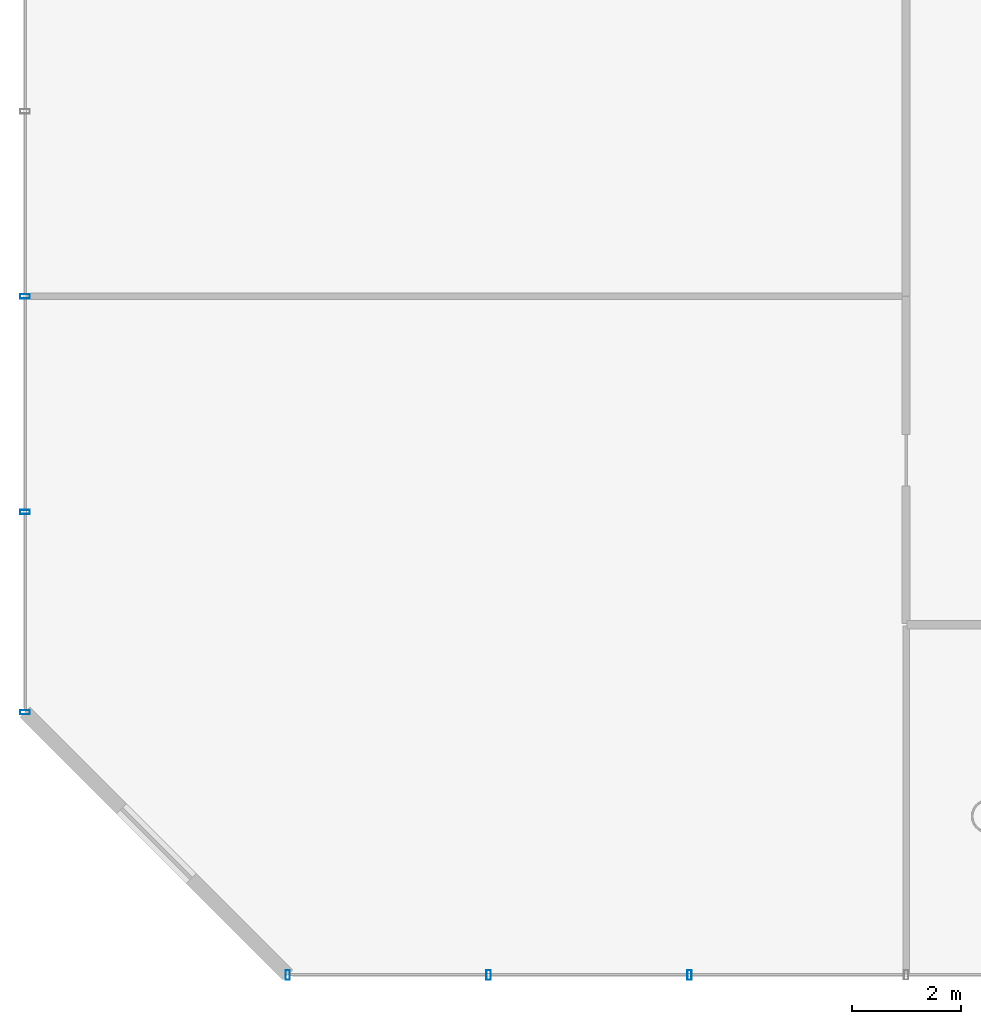
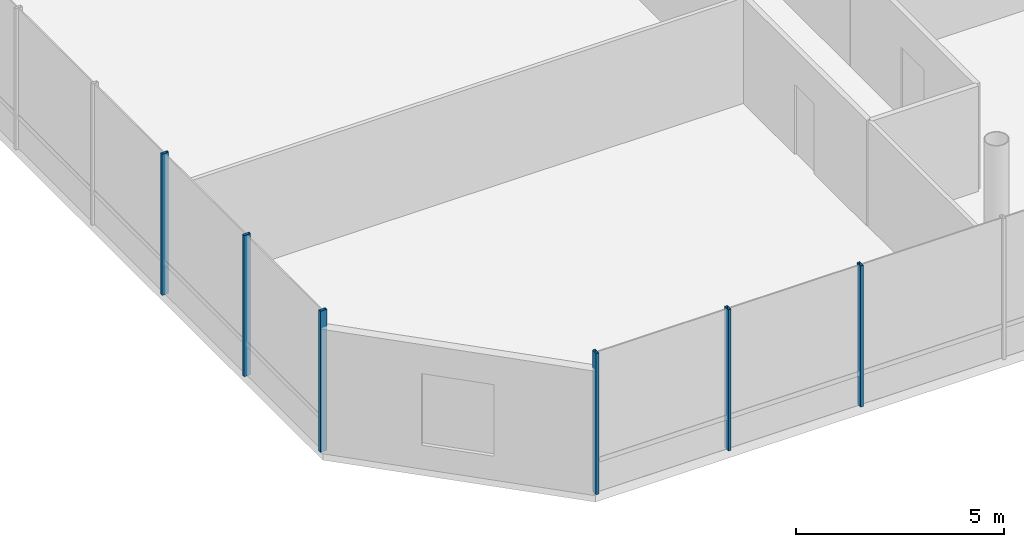
# One storey, part 4 of 37: 6 members, 2 elements without a shape of their own.
"""IFC4 building model written with IfcOpenShell, lengths in metres."""

from ifc_helpers import new_model, si_unit, direction, frame, origin, origin_2d, place, context, subcontext, project, spatial, hollow_rectangle, extrude, material, layer, layer_set, material_profile, profile_set, type_object, element, aggregate, save


model = new_model("IFC4")

# Units and contexts
model_context = context("Model", 3, precision=1e-05, world=origin(), true_north=direction((0.0, 1.0)))
body_context = subcontext(model_context, "Body", "Model", "MODEL_VIEW")
ifc_project = project(units=[si_unit("LENGTHUNIT", "METRE"), si_unit("AREAUNIT", "SQUARE_METRE"), si_unit("VOLUMEUNIT", "CUBIC_METRE"), si_unit("PLANEANGLEUNIT", "RADIAN"), si_unit("MASSUNIT", "GRAM", prefix="KILO")], contexts=[model_context])

# Site, building, storey
site_placement = place(None, origin())
site = spatial("IfcSite", under=ifc_project, at=site_placement, CompositionType="ELEMENT")
building_placement = place(site_placement, origin())
building = spatial("IfcBuilding", under=site, at=building_placement, Name="Zarrinselat Tower", CompositionType="ELEMENT")
storey_placement = place(building_placement, frame((0.0, 0.0, 9.52001953125)))
storey = spatial("IfcBuildingStorey", under=building, at=storey_placement, Name="L02", CompositionType="ELEMENT", Elevation=9.52001953125)

# Curtain wall, members
ifc_material_1 = material(Name="Extruded Aluminium Alloy EN AW-6063 T6", Category="aluminium")
ifc_layer = layer(ifc_material_1, 0.2099609375)
ifc_layer_set = layer_set([ifc_layer], Name="Extruded Aluminium Alloy EN AW-6063 T6")
curtain_wall_type = type_object("IfcCurtainWallType", Name="CWS-POD", PredefinedType="NOTDEFINED", material=ifc_layer_set)
curtain_wall_1_placement = place(storey_placement, origin())
curtain_wall_1 = element("IfcCurtainWall", 1, at=curtain_wall_1_placement, inside=storey, type_object=curtain_wall_type, Name="L02 Unitised Curtain Wall CW-L02-F1", PredefinedType="NOTDEFINED")
ifc_material_2 = material(Name="Extruded Aluminium Alloy EN AW-6063 T6", Category="aluminium")
ifc_material_profile = material_profile(ifc_material_2, hollow_rectangle(XDim=0.080078125, YDim=0.179931640625, WallThickness=0.0048828125, at=origin_2d()), Name="RHS 180x80x5")
ifc_profile_set = profile_set([ifc_material_profile], Name="Extruded Aluminium Alloy EN AW-6063 T6")
member_type = type_object("IfcMemberType", Name="MEM-CW-MUL", PredefinedType="MULLION", material=ifc_profile_set)
member_1_placement = place(storey_placement, frame((7.199951171875, 5.60009765625, 0.0), z_axis=(0.0, 0.0, 1.0), x_axis=(1.0, 0.0, 0.0)))
member_1 = element("IfcMember", 2, at=member_1_placement, type_object=member_type, Name="CW-L02-F1 Mullion 0", PredefinedType="MULLION", context=body_context, shape_type="SweptSolid", body=[
    extrude(hollow_rectangle(XDim=0.080078125, YDim=0.179931640625, WallThickness=0.0048828125, at=origin_2d()), origin(), (0.0, 0.0, 1.0), 4.139892578125),
])
member_2_placement = place(storey_placement, frame((10.87060546875, 5.60009765625, 0.0), z_axis=(0.0, 0.0, 1.0), x_axis=(1.0, 0.0, 0.0)))
member_2 = element("IfcMember", 3, at=member_2_placement, type_object=member_type, Name="CW-L02-F1 Mullion 1", PredefinedType="MULLION", context=body_context, shape_type="SweptSolid", body=[
    extrude(hollow_rectangle(XDim=0.080078125, YDim=0.179931640625, WallThickness=0.0048828125, at=origin_2d()), origin(), (0.0, 0.0, 1.0), 4.139892578125),
])
member_3_placement = place(storey_placement, frame((14.541259765625, 5.60009765625, 0.0), z_axis=(0.0, 0.0, 1.0), x_axis=(1.0, 0.0, 0.0)))
member_3 = element("IfcMember", 4, at=member_3_placement, type_object=member_type, Name="CW-L02-F1 Mullion 2", PredefinedType="MULLION", context=body_context, shape_type="SweptSolid", body=[
    extrude(hollow_rectangle(XDim=0.080078125, YDim=0.179931640625, WallThickness=0.0048828125, at=origin_2d()), origin(), (0.0, 0.0, 1.0), 4.139892578125),
])
aggregate(curtain_wall_1, [member_1, member_2, member_3])

curtain_wall_2_placement = place(storey_placement, origin())
curtain_wall_2 = element("IfcCurtainWall", 5, at=curtain_wall_2_placement, inside=storey, type_object=curtain_wall_type, Name="L02 Unitised Curtain Wall CW-L02-F7", PredefinedType="NOTDEFINED")
member_4_placement = place(storey_placement, frame((2.39990234375, 18.0, 0.0), z_axis=(0.0, 0.0, 1.0), x_axis=(0.0, -1.0, 0.0)))
member_4 = element("IfcMember", 6, at=member_4_placement, type_object=member_type, Name="CW-L02-F7 Mullion 8", PredefinedType="MULLION", context=body_context, shape_type="SweptSolid", body=[
    extrude(hollow_rectangle(XDim=0.080078125, YDim=0.179931640625, WallThickness=0.0048828125, at=origin_2d()), origin(), (0.0, 0.0, 1.0), 4.139892578125),
])
member_5_placement = place(storey_placement, frame((2.39990234375, 14.06005859375, 0.0), z_axis=(0.0, 0.0, 1.0), x_axis=(0.0, -1.0, 0.0)))
member_5 = element("IfcMember", 7, at=member_5_placement, type_object=member_type, Name="CW-L02-F7 Mullion 9", PredefinedType="MULLION", context=body_context, shape_type="SweptSolid", body=[
    extrude(hollow_rectangle(XDim=0.080078125, YDim=0.179931640625, WallThickness=0.0048828125, at=origin_2d()), origin(), (0.0, 0.0, 1.0), 4.139892578125),
])
member_6_placement = place(storey_placement, frame((2.39990234375, 10.39990234375, 0.0), z_axis=(0.0, 0.0, 1.0), x_axis=(0.0, -1.0, 0.0)))
member_6 = element("IfcMember", 8, at=member_6_placement, type_object=member_type, Name="CW-L02-F7 Mullion 10", PredefinedType="MULLION", context=body_context, shape_type="SweptSolid", body=[
    extrude(hollow_rectangle(XDim=0.080078125, YDim=0.179931640625, WallThickness=0.0048828125, at=origin_2d()), origin(), (0.0, 0.0, 1.0), 4.139892578125),
])
aggregate(curtain_wall_2, [member_4, member_5, member_6])

save(model, "model.ifc")
